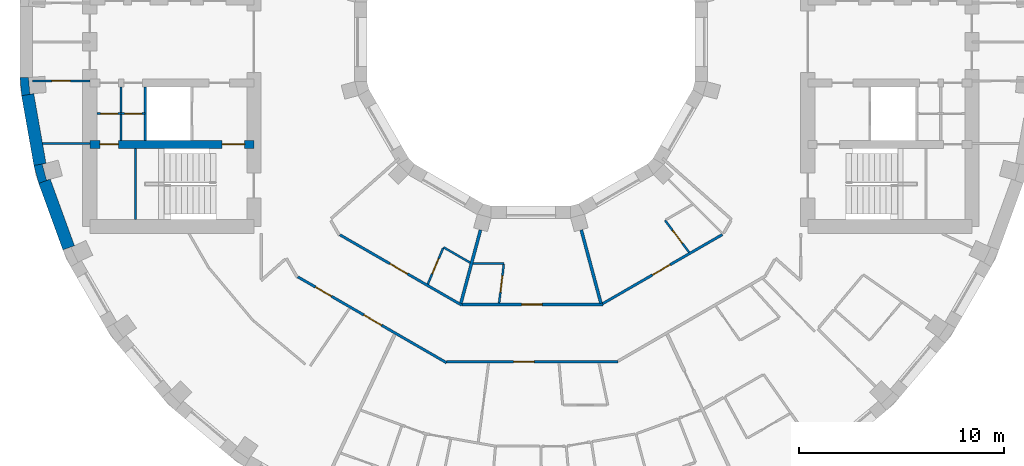
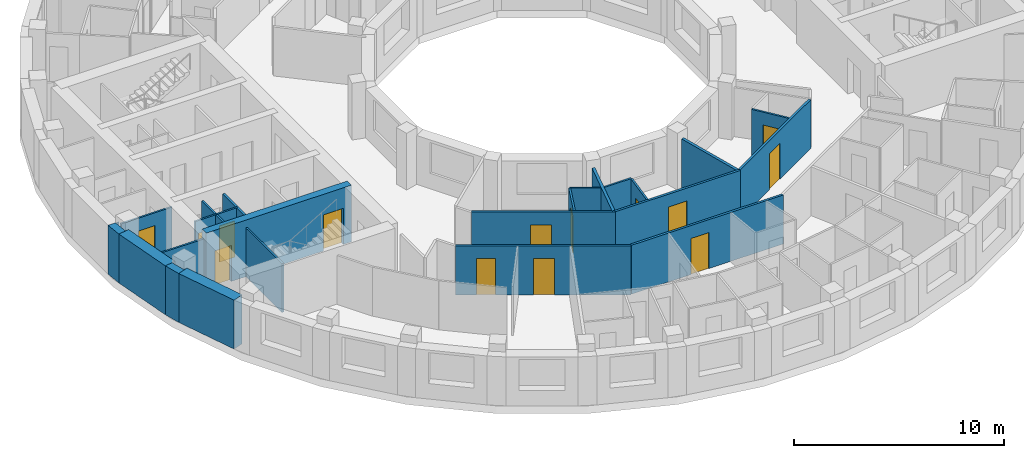
# One storey, part 5 of 15: 24 walls, 14 doors, 14 openings.
"""IFC4 building model written with IfcOpenShell, lengths in metres."""

from ifc_helpers import new_model, si_unit, direction, frame, frame_2d, origin, place, context, subcontext, project, spatial, polyline, rectangle, outline, extrude, material, layer, layer_set, type_object, element, fill, save


model = new_model("IFC4")

# Units and contexts
model_context = context("Model", 3, precision=1e-05, world=origin(), true_north=direction((0.0, 1.0)))
body_context = subcontext(model_context, "Body", "Model", "MODEL_VIEW")
ifc_project = project(units=[si_unit("LENGTHUNIT", "METRE"), si_unit("AREAUNIT", "SQUARE_METRE"), si_unit("VOLUMEUNIT", "CUBIC_METRE"), si_unit("PLANEANGLEUNIT", "RADIAN"), si_unit("MASSUNIT", "GRAM", prefix="KILO")], contexts=[model_context])

# Site, building, storey
site_placement = place(None, origin())
site = spatial("IfcSite", under=ifc_project, at=site_placement, CompositionType="ELEMENT")
building_placement = place(site_placement, origin())
building = spatial("IfcBuilding", under=site, at=building_placement, Name="Saqina Gate Tower", CompositionType="ELEMENT")
storey_placement = place(building_placement, frame((0.0, 0.0, 190.5)))
storey = spatial("IfcBuildingStorey", under=building, at=storey_placement, Name="L54", CompositionType="ELEMENT", Elevation=190.5)

# Walls
ifc_material_1 = material(Name="Brick masonry (buff)", Category="masonry")
wall_type_1 = type_object("IfcWallType", Name="BRICK PIER COPING BUFF", PredefinedType="SOLIDWALL", material=ifc_material_1)
wall_1_placement = place(storey_placement, origin())
element("IfcWall", 1, at=wall_1_placement, inside=storey, type_object=wall_type_1, Name="Pier cap L54 column 19", PredefinedType="SOLIDWALL", context=body_context, shape_type="SweptSolid", body=[
    extrude(outline(polyline([(-24.90478515625, -1.724853515625), (-24.825927734375, -2.6259765625), (-24.235107421875, -2.521728515625), (-24.421630859375, -2.5380859375), (-24.491455078125, -1.7412109375), (-24.304931640625, -1.724853515625), (-24.90478515625, -1.724853515625)])), origin(), (0.0, 0.0, 1.0), 2.85009765625),
])
wall_2_placement = place(storey_placement, origin())
element("IfcWall", 2, at=wall_2_placement, inside=storey, type_object=wall_type_1, Name="Pier cap L54 column 20", PredefinedType="SOLIDWALL", context=body_context, shape_type="SweptSolid", body=[
    extrude(outline(polyline([(-24.22705078125, -6.0234375), (-23.992919921875, -6.897216796875), (-23.428955078125, -6.69189453125), (-23.610107421875, -6.740478515625), (-23.81689453125, -5.967529296875), (-23.635986328125, -5.919189453125), (-24.22705078125, -6.0234375)])), origin(), (0.0, 0.0, 1.0), 2.85009765625),
])
ifc_material_2 = material(Name="Gypsum board on steel studs", Category="steel")
ifc_layer_1 = layer(ifc_material_2, 0.10009765625)
ifc_layer_set_1 = layer_set([ifc_layer_1], Name="CORE PARTITION")
wall_type_2 = type_object("IfcWallType", Name="CORE PARTITION", PredefinedType="PARTITIONING", material=ifc_layer_set_1)
wall_3_placement = place(storey_placement, frame((-21.5, -4.949951171875, 0.0), z_axis=(0.0, 0.0, 1.0), x_axis=(-1.0, 0.0, 0.0)))
element("IfcWall", 3, at=wall_3_placement, inside=storey, type_object=wall_type_2, Name="L54-CP-W03", PredefinedType="PARTITIONING", context=body_context, shape_type="SweptSolid", body=[
    extrude(rectangle(XDim=2.306884765625, YDim=0.10009765625, at=frame_2d((1.1533203125, 0.0))), origin(), (0.0, 0.0, 1.0), 2.85009765625),
])

# Wall, opening, door
wall_4_placement = place(storey_placement, frame((-21.5, -1.89990234375, 0.0), z_axis=(0.0, 0.0, 1.0), x_axis=(-1.0, 0.0, 0.0)))
wall_4 = element("IfcWall", 4, at=wall_4_placement, inside=storey, type_object=wall_type_2, Name="L54-CP-W04", PredefinedType="PARTITIONING", context=body_context, shape_type="SweptSolid", body=[
    extrude(rectangle(XDim=2.804931640625, YDim=0.10009765625, at=frame_2d((1.40234375, 0.0))), origin(), (0.0, 0.0, 1.0), 2.85009765625),
])
opening_1_placement = place(wall_4_placement, frame((0.952392578125, 0.0, 0.0)))
opening_1 = element("IfcOpeningElement", 5, at=opening_1_placement, cuts=wall_4, Name="Opening G16-D116", PredefinedType="OPENING", context=body_context, shape_type="SweptSolid", body=[
    extrude(rectangle(XDim=0.89990234375, YDim=2.10009765625, at=frame_2d((0.449951171875, 1.050048828125))), frame((0.0, 0.06201171875, 0.0), z_axis=(0.0, -1.0, 0.0), x_axis=(1.0, 0.0, 0.0)), (0.0, 0.0, 1.0), 0.1240234375),
])
ifc_material_3 = material(Name="Steel-framed fire door leaf, EI 60", Category="steel")
door_type_1 = type_object("IfcDoorType", Name="SERVICE ROOM DOOR 900", OperationType="SINGLE_SWING_LEFT", PredefinedType="DOOR", material=ifc_material_3)
door_1_placement = place(opening_1_placement, origin())
door_1 = element("IfcDoor", 6, at=door_1_placement, inside=storey, type_object=door_type_1, Name="L54-CD-W27", OperationType="SINGLE_SWING_LEFT", OverallHeight=2.10009765625, OverallWidth=0.89990234375, PredefinedType="DOOR", context=body_context, shape_type="SweptSolid", body=[
    extrude(rectangle(XDim=0.89990234375, YDim=2.10009765625, at=frame_2d((0.449951171875, 1.050048828125))), frame((0.0, 0.02490234375, 0.0), z_axis=(0.0, -1.0, 0.0), x_axis=(1.0, 0.0, 0.0)), (0.0, 0.0, 1.0), 0.050048828125),
])
fill(opening_1, door_1)

# Wall
wall_5_placement = place(storey_placement, frame((-19.97998046875, -4.800048828125, 0.0), z_axis=(0.0, 0.0, 1.0), x_axis=(0.0, 1.0, 0.0)))
element("IfcWall", 7, at=wall_5_placement, inside=storey, type_object=wall_type_2, Name="L54-CP-W11", PredefinedType="PARTITIONING", context=body_context, shape_type="SweptSolid", body=[
    extrude(rectangle(XDim=2.60009765625, YDim=0.10009765625, at=frame_2d((1.300048828125, 0.0))), origin(), (0.0, 0.0, 1.0), 2.85009765625),
])

# Wall, opening, door
wall_6_placement = place(storey_placement, frame((-18.81005859375, -3.5, 0.0), z_axis=(0.0, 0.0, 1.0), x_axis=(-1.0, 0.0, 0.0)))
wall_6 = element("IfcWall", 8, at=wall_6_placement, inside=storey, type_object=wall_type_2, Name="L54-CP-W14", PredefinedType="PARTITIONING", context=body_context, shape_type="SweptSolid", body=[
    extrude(rectangle(XDim=1.169921875, YDim=0.10009765625, at=frame_2d((0.5849609375, 0.0))), origin(), (0.0, 0.0, 1.0), 2.85009765625),
])
opening_2_placement = place(wall_6_placement, frame((0.14990234375, 0.0, 0.0)))
opening_2 = element("IfcOpeningElement", 9, at=opening_2_placement, cuts=wall_6, Name="Opening G16-D121", PredefinedType="OPENING", context=body_context, shape_type="SweptSolid", body=[
    extrude(rectangle(XDim=0.85009765625, YDim=2.10009765625, at=frame_2d((0.425048828125, 1.050048828125))), frame((0.0, 0.06201171875, 0.0), z_axis=(0.0, -1.0, 0.0), x_axis=(1.0, 0.0, 0.0)), (0.0, 0.0, 1.0), 0.1240234375),
])
ifc_material_4 = material(Name="Steel-framed fire door leaf, EI 60", Category="steel")
door_type_2 = type_object("IfcDoorType", Name="SERVICE ROOM DOOR 850", OperationType="SINGLE_SWING_LEFT", PredefinedType="DOOR", material=ifc_material_4)
door_2_placement = place(opening_2_placement, origin())
door_2 = element("IfcDoor", 10, at=door_2_placement, inside=storey, type_object=door_type_2, Name="L54-CD-W32", OperationType="SINGLE_SWING_LEFT", OverallHeight=2.10009765625, OverallWidth=0.85009765625, PredefinedType="DOOR", context=body_context, shape_type="SweptSolid", body=[
    extrude(rectangle(XDim=0.85009765625, YDim=2.10009765625, at=frame_2d((0.425048828125, 1.050048828125))), frame((0.0, 0.02490234375, 0.0), z_axis=(0.0, -1.0, 0.0), x_axis=(1.0, 0.0, 0.0)), (0.0, 0.0, 1.0), 0.050048828125),
])
fill(opening_2, door_2)

wall_7_placement = place(storey_placement, frame((-19.97998046875, -3.5, 0.0), z_axis=(0.0, 0.0, 1.0), x_axis=(-1.0, 0.0, 0.0)))
wall_7 = element("IfcWall", 11, at=wall_7_placement, inside=storey, type_object=wall_type_2, Name="L54-CP-W15", PredefinedType="PARTITIONING", context=body_context, shape_type="SweptSolid", body=[
    extrude(rectangle(XDim=1.169921875, YDim=0.10009765625, at=frame_2d((0.5849609375, 0.0))), origin(), (0.0, 0.0, 1.0), 2.85009765625),
])
opening_3_placement = place(wall_7_placement, frame((0.14990234375, 0.0, 0.0)))
opening_3 = element("IfcOpeningElement", 12, at=opening_3_placement, cuts=wall_7, Name="Opening G16-D122", PredefinedType="OPENING", context=body_context, shape_type="SweptSolid", body=[
    extrude(rectangle(XDim=0.85009765625, YDim=2.10009765625, at=frame_2d((0.425048828125, 1.050048828125))), frame((0.0, 0.06201171875, 0.0), z_axis=(0.0, -1.0, 0.0), x_axis=(1.0, 0.0, 0.0)), (0.0, 0.0, 1.0), 0.1240234375),
])
door_3_placement = place(opening_3_placement, origin())
door_3 = element("IfcDoor", 13, at=door_3_placement, inside=storey, type_object=door_type_2, Name="L54-CD-W33", OperationType="SINGLE_SWING_RIGHT", OverallHeight=2.10009765625, OverallWidth=0.85009765625, PredefinedType="DOOR", context=body_context, shape_type="SweptSolid", body=[
    extrude(rectangle(XDim=0.85009765625, YDim=2.10009765625, at=frame_2d((0.425048828125, 1.050048828125))), frame((0.0, 0.02490234375, 0.0), z_axis=(0.0, -1.0, 0.0), x_axis=(1.0, 0.0, 0.0)), (0.0, 0.0, 1.0), 0.050048828125),
])
fill(opening_3, door_3)

# Walls
ifc_material_5 = material(Name="Glazed ceramic tile", Category="ceramic")
ifc_layer_2 = layer(ifc_material_5, 0.60009765625)
ifc_layer_set_2 = layer_set([ifc_layer_2], Name="FW-TILE")
wall_type_3 = type_object("IfcWallType", Name="FW-TILE", PredefinedType="SOLIDWALL", material=ifc_layer_set_2)
wall_8_placement = place(storey_placement, frame((-24.530517578125, -2.573974609375, 0.0), z_axis=(0.0, 0.0, 1.0), x_axis=(0.173607684551, -0.984814892183, 0.0)))
element("IfcWall", 14, at=wall_8_placement, inside=storey, type_object=wall_type_3, Name="Facade wall L54 facet 19", PredefinedType="SOLIDWALL", context=body_context, shape_type="SweptSolid", body=[
    extrude(rectangle(XDim=3.44970703125, YDim=0.60009765625, at=frame_2d((1.724853515625, 0.0))), origin(), (0.0, 0.0, 1.0), 2.85009765625),
])
ifc_material_6 = material(Name="Glazed ceramic tile (dark blue)", Category="ceramic")
ifc_layer_3 = layer(ifc_material_6, 0.60009765625)
ifc_layer_set_3 = layer_set([ifc_layer_3], Name="FW-TILE-CB")
wall_type_4 = type_object("IfcWallType", Name="FW-TILE-CB", PredefinedType="SOLIDWALL", material=ifc_layer_set_3)
wall_9_placement = place(storey_placement, frame((-23.7109375, -6.79443359375, 0.0), z_axis=(0.0, 0.0, 1.0), x_axis=(0.342032843455, -0.93968799822, 0.0)))
element("IfcWall", 15, at=wall_9_placement, inside=storey, type_object=wall_type_4, Name="Facade wall L54 facet 20", PredefinedType="SOLIDWALL", context=body_context, shape_type="SweptSolid", body=[
    extrude(rectangle(XDim=3.44970703125, YDim=0.60009765625, at=frame_2d((1.724853515625, 0.0))), origin(), (0.0, 0.0, 1.0), 2.85009765625),
])

# Wall, opening, door
ifc_material_7 = material(Name="Gypsum board on steel studs, 100 mm", Category="steel")
ifc_layer_4 = layer(ifc_material_7, 0.10009765625)
ifc_layer_set_4 = layer_set([ifc_layer_4], Name="PARTITION 100")
wall_type_5 = type_object("IfcWallType", Name="PARTITION 100", PredefinedType="PARTITIONING", material=ifc_layer_set_4)
wall_10_placement = place(storey_placement, frame((6.5390625, -8.696044921875, 0.0), z_axis=(0.0, 0.0, 1.0), x_axis=(0.601120334692, -0.799158521959, 0.0)))
wall_10 = element("IfcWall", 16, at=wall_10_placement, inside=storey, type_object=wall_type_5, Name="PARTITION PW3-20", PredefinedType="PARTITIONING", context=body_context, shape_type="SweptSolid", body=[
    extrude(rectangle(XDim=1.951416015625, YDim=0.10009765625, at=frame_2d((0.9755859375, 0.0))), origin(), (0.0, 0.0, 1.0), 2.85009765625),
])
opening_4_placement = place(wall_10_placement, frame((0.607421875, 0.0, 0.0)))
opening_4 = element("IfcOpeningElement", 17, at=opening_4_placement, cuts=wall_10, Name="Opening G16-D58", PredefinedType="OPENING", context=body_context, shape_type="SweptSolid", body=[
    extrude(rectangle(XDim=0.800048828125, YDim=2.10009765625, at=frame_2d((0.39990234375, 1.050048828125))), frame((0.0, 0.06201171875, 0.0), z_axis=(0.0, -1.0, 0.0), x_axis=(1.0, 0.0, 0.0)), (0.0, 0.0, 1.0), 0.1240234375),
])
ifc_material_8 = material(Name="Timber door leaf, 800 mm", Category="wood")
door_type_3 = type_object("IfcDoorType", Name="DOOR 800 TIMBER", OperationType="SINGLE_SWING_LEFT", PredefinedType="DOOR", material=ifc_material_8)
door_4_placement = place(opening_4_placement, frame((0.800048828125, 0.0, 0.0), z_axis=(0.0, 0.0, 1.0), x_axis=(-1.0, 0.0, 0.0)))
door_4 = element("IfcDoor", 18, at=door_4_placement, inside=storey, type_object=door_type_3, Name="DOOR G16-D58", OperationType="SINGLE_SWING_LEFT", OverallHeight=2.10009765625, OverallWidth=0.800048828125, PredefinedType="DOOR", context=body_context, shape_type="SweptSolid", body=[
    extrude(rectangle(XDim=0.800048828125, YDim=2.10009765625, at=frame_2d((0.39990234375, 1.050048828125))), frame((0.0, 0.02490234375, 0.0), z_axis=(0.0, -1.0, 0.0), x_axis=(1.0, 0.0, 0.0)), (0.0, 0.0, 1.0), 0.050048828125),
])
fill(opening_4, door_4)

# Walls
wall_11_placement = place(storey_placement, frame((-4.260986328125, -10.010986328125, 0.0), z_axis=(0.0, 0.0, 1.0), x_axis=(0.86609634961, -0.499877098087, 0.0)))
element("IfcWall", 19, at=wall_11_placement, inside=storey, type_object=wall_type_5, Name="PARTITION PW3-37", PredefinedType="PARTITIONING", context=body_context, shape_type="SweptSolid", body=[
    extrude(rectangle(XDim=1.50341796875, YDim=0.10009765625, at=frame_2d((0.751708984375, 0.0))), origin(), (0.0, 0.0, 1.0), 2.85009765625),
])
wall_12_placement = place(storey_placement, frame((-2.819091796875, -10.800048828125, 0.0), z_axis=(0.0, 0.0, 1.0), x_axis=(1.0, 0.0, 0.0)))
element("IfcWall", 20, at=wall_12_placement, inside=storey, type_object=wall_type_5, Name="PARTITION PW3-54", PredefinedType="PARTITIONING", context=body_context, shape_type="SweptSolid", body=[
    extrude(rectangle(XDim=1.504150390625, YDim=0.10009765625, at=frame_2d((0.751953125, 0.0))), origin(), (0.0, 0.0, 1.0), 2.85009765625),
])

# Wall, opening, door
wall_13_placement = place(storey_placement, frame((-5.025634765625, -11.806396484375, 0.0), z_axis=(0.0, 0.0, 1.0), x_axis=(0.391841940262, 0.920032550431, 0.0)))
wall_13 = element("IfcWall", 21, at=wall_13_placement, inside=storey, type_object=wall_type_5, Name="PARTITION PW3-90", PredefinedType="PARTITIONING", context=body_context, shape_type="SweptSolid", body=[
    extrude(rectangle(XDim=1.901611328125, YDim=0.10009765625, at=frame_2d((0.95068359375, 0.0))), origin(), (0.0, 0.0, 1.0), 2.85009765625),
])
opening_5_placement = place(wall_13_placement, frame((0.54443359375, 0.0, 0.0)))
opening_5 = element("IfcOpeningElement", 22, at=opening_5_placement, cuts=wall_13, Name="Opening G16-D37", PredefinedType="OPENING", context=body_context, shape_type="SweptSolid", body=[
    extrude(rectangle(XDim=0.800048828125, YDim=2.10009765625, at=frame_2d((0.39990234375, 1.050048828125))), frame((0.0, 0.06201171875, 0.0), z_axis=(0.0, -1.0, 0.0), x_axis=(1.0, 0.0, 0.0)), (0.0, 0.0, 1.0), 0.1240234375),
])
door_5_placement = place(opening_5_placement, origin())
door_5 = element("IfcDoor", 23, at=door_5_placement, inside=storey, type_object=door_type_3, Name="DOOR G16-D37", OperationType="SINGLE_SWING_LEFT", OverallHeight=2.10009765625, OverallWidth=0.800048828125, PredefinedType="DOOR", context=body_context, shape_type="SweptSolid", body=[
    extrude(rectangle(XDim=0.800048828125, YDim=2.10009765625, at=frame_2d((0.39990234375, 1.050048828125))), frame((0.0, 0.02490234375, 0.0), z_axis=(0.0, -1.0, 0.0), x_axis=(1.0, 0.0, 0.0)), (0.0, 0.0, 1.0), 0.050048828125),
])
fill(opening_5, door_5)

wall_14_placement = place(storey_placement, frame((-1.551513671875, -12.738037109375, 0.0), z_axis=(0.0, 0.0, 1.0), x_axis=(0.121143814879, 0.992634966197, 0.0)))
wall_14 = element("IfcWall", 24, at=wall_14_placement, inside=storey, type_object=wall_type_5, Name="PARTITION PW3-100", PredefinedType="PARTITIONING", context=body_context, shape_type="SweptSolid", body=[
    extrude(rectangle(XDim=1.90234375, YDim=0.10009765625, at=frame_2d((0.951171875, 0.0))), origin(), (0.0, 0.0, 1.0), 2.85009765625),
])
opening_6_placement = place(wall_14_placement, frame((0.544921875, 0.0, 0.0)))
opening_6 = element("IfcOpeningElement", 25, at=opening_6_placement, cuts=wall_14, Name="Opening G16-D43", PredefinedType="OPENING", context=body_context, shape_type="SweptSolid", body=[
    extrude(rectangle(XDim=0.800048828125, YDim=2.10009765625, at=frame_2d((0.39990234375, 1.050048828125))), frame((0.0, 0.06201171875, 0.0), z_axis=(0.0, -1.0, 0.0), x_axis=(1.0, 0.0, 0.0)), (0.0, 0.0, 1.0), 0.1240234375),
])
door_6_placement = place(opening_6_placement, frame((0.800048828125, 0.0, 0.0), z_axis=(0.0, 0.0, 1.0), x_axis=(-1.0, 0.0, 0.0)))
door_6 = element("IfcDoor", 26, at=door_6_placement, inside=storey, type_object=door_type_3, Name="DOOR G16-D43", OperationType="SINGLE_SWING_RIGHT", OverallHeight=2.10009765625, OverallWidth=0.800048828125, PredefinedType="DOOR", context=body_context, shape_type="SweptSolid", body=[
    extrude(rectangle(XDim=0.800048828125, YDim=2.10009765625, at=frame_2d((0.39990234375, 1.050048828125))), frame((0.0, 0.02490234375, 0.0), z_axis=(0.0, -1.0, 0.0), x_axis=(1.0, 0.0, 0.0)), (0.0, 0.0, 1.0), 0.050048828125),
])
fill(opening_6, door_6)

# Wall, openings, doors
ifc_material_9 = material(Name="Gypsum board on steel studs, 125 mm, fire rated", Category="steel")
ifc_layer_5 = layer(ifc_material_9, 0.125)
ifc_layer_set_5 = layer_set([ifc_layer_5], Name="PARTITION EI 30 125")
wall_type_6 = type_object("IfcWallType", Name="PARTITION EI 30 125", PredefinedType="PARTITIONING", material=ifc_layer_set_5)
wall_15_placement = place(storey_placement, frame((-11.365966796875, -11.451171875, 0.0), z_axis=(0.0, 0.0, 1.0), x_axis=(0.866032091518, -0.499988416326, 0.0)))
wall_15 = element("IfcWall", 27, at=wall_15_placement, inside=storey, type_object=wall_type_6, Name="PARTITION PW1-13", PredefinedType="PARTITIONING", context=body_context, shape_type="SweptSolid", body=[
    extrude(rectangle(XDim=8.369873046875, YDim=0.125, at=frame_2d((4.18505859375, 0.0))), origin(), (0.0, 0.0, 1.0), 2.85009765625),
])
opening_7_placement = place(wall_15_placement, frame((0.997802734375, 0.0, 0.0)))
opening_7 = element("IfcOpeningElement", 28, at=opening_7_placement, cuts=wall_15, Name="Opening G16-D34", PredefinedType="OPENING", context=body_context, shape_type="SweptSolid", body=[
    extrude(rectangle(XDim=0.89990234375, YDim=2.10009765625, at=frame_2d((0.449951171875, 1.050048828125))), frame((0.0, 0.074462890625, 0.0), z_axis=(0.0, -1.0, 0.0), x_axis=(1.0, 0.0, 0.0)), (0.0, 0.0, 1.0), 0.14892578125),
])
opening_8_placement = place(wall_15_placement, frame((3.72021484375, 0.0, 0.0)))
opening_8 = element("IfcOpeningElement", 29, at=opening_8_placement, cuts=wall_15, Name="Opening G16-D36", PredefinedType="OPENING", context=body_context, shape_type="SweptSolid", body=[
    extrude(rectangle(XDim=1.0, YDim=2.10009765625, at=frame_2d((0.5, 1.050048828125))), frame((0.0, 0.074462890625, 0.0), z_axis=(0.0, -1.0, 0.0), x_axis=(1.0, 0.0, 0.0)), (0.0, 0.0, 1.0), 0.14892578125),
])
ifc_material_10 = material(Name="Fire door leaf EI 30, 1000 mm")
door_type_4 = type_object("IfcDoorType", Name="DOOR 1000 EI 30", OperationType="SINGLE_SWING_LEFT", PredefinedType="DOOR", material=ifc_material_10)
door_7_placement = place(opening_8_placement, origin())
door_7 = element("IfcDoor", 30, at=door_7_placement, inside=storey, type_object=door_type_4, Name="DOOR G16-D36", OperationType="SINGLE_SWING_RIGHT", OverallHeight=2.10009765625, OverallWidth=1.0, PredefinedType="DOOR", context=body_context, shape_type="SweptSolid", body=[
    extrude(rectangle(XDim=1.0, YDim=2.10009765625, at=frame_2d((0.5, 1.050048828125))), frame((0.0, 0.02490234375, 0.0), z_axis=(0.0, -1.0, 0.0), x_axis=(1.0, 0.0, 0.0)), (0.0, 0.0, 1.0), 0.050048828125),
])
fill(opening_8, door_7)
ifc_material_11 = material(Name="Fire door leaf EI 30, 900 mm")
door_type_5 = type_object("IfcDoorType", Name="DOOR 900 EI 30", OperationType="SINGLE_SWING_LEFT", PredefinedType="DOOR", material=ifc_material_11)
door_8_placement = place(opening_7_placement, frame((0.89990234375, 0.0, 0.0), z_axis=(0.0, 0.0, 1.0), x_axis=(-1.0, 0.0, 0.0)))
door_8 = element("IfcDoor", 31, at=door_8_placement, inside=storey, type_object=door_type_5, Name="DOOR G16-D34", OperationType="SINGLE_SWING_RIGHT", OverallHeight=2.10009765625, OverallWidth=0.89990234375, PredefinedType="DOOR", context=body_context, shape_type="SweptSolid", body=[
    extrude(rectangle(XDim=0.89990234375, YDim=2.10009765625, at=frame_2d((0.449951171875, 1.050048828125))), frame((0.0, 0.02490234375, 0.0), z_axis=(0.0, -1.0, 0.0), x_axis=(1.0, 0.0, 0.0)), (0.0, 0.0, 1.0), 0.050048828125),
])
fill(opening_7, door_8)

# Wall, opening, door
wall_16_placement = place(storey_placement, frame((-9.31591796875, -9.4013671875, 0.0), z_axis=(0.0, 0.0, 1.0), x_axis=(0.865996765544, -0.500049599607, 0.0)))
wall_16 = element("IfcWall", 32, at=wall_16_placement, inside=storey, type_object=wall_type_6, Name="PARTITION PW1-14", PredefinedType="PARTITIONING", context=body_context, shape_type="SweptSolid", body=[
    extrude(rectangle(XDim=6.868896484375, YDim=0.125, at=frame_2d((3.4345703125, 0.0))), origin(), (0.0, 0.0, 1.0), 2.85009765625),
])
opening_9_placement = place(wall_16_placement, frame((2.816162109375, 0.0, 0.0)))
opening_9 = element("IfcOpeningElement", 33, at=opening_9_placement, cuts=wall_16, Name="Opening G16-D35", PredefinedType="OPENING", context=body_context, shape_type="SweptSolid", body=[
    extrude(rectangle(XDim=1.0, YDim=2.10009765625, at=frame_2d((0.5, 1.050048828125))), frame((0.0, 0.074462890625, 0.0), z_axis=(0.0, -1.0, 0.0), x_axis=(1.0, 0.0, 0.0)), (0.0, 0.0, 1.0), 0.14892578125),
])
door_9_placement = place(opening_9_placement, origin())
door_9 = element("IfcDoor", 34, at=door_9_placement, inside=storey, type_object=door_type_4, Name="DOOR G16-D35", OperationType="SINGLE_SWING_LEFT", OverallHeight=2.10009765625, OverallWidth=1.0, PredefinedType="DOOR", context=body_context, shape_type="SweptSolid", body=[
    extrude(rectangle(XDim=1.0, YDim=2.10009765625, at=frame_2d((0.5, 1.050048828125))), frame((0.0, 0.02490234375, 0.0), z_axis=(0.0, -1.0, 0.0), x_axis=(1.0, 0.0, 0.0)), (0.0, 0.0, 1.0), 0.050048828125),
])
fill(opening_9, door_9)

wall_17_placement = place(storey_placement, frame((-4.117431640625, -15.60009765625, 0.0), z_axis=(0.0, 0.0, 1.0), x_axis=(1.0, 0.0, 0.0)))
wall_17 = element("IfcWall", 35, at=wall_17_placement, inside=storey, type_object=wall_type_6, Name="PARTITION PW1-23", PredefinedType="PARTITIONING", context=body_context, shape_type="SweptSolid", body=[
    extrude(rectangle(XDim=8.36962890625, YDim=0.125, at=frame_2d((4.184814453125, 0.0))), origin(), (0.0, 0.0, 1.0), 2.85009765625),
])
opening_10_placement = place(wall_17_placement, frame((3.27294921875, 0.0, 0.0)))
opening_10 = element("IfcOpeningElement", 36, at=opening_10_placement, cuts=wall_17, Name="Opening G16-D45", PredefinedType="OPENING", context=body_context, shape_type="SweptSolid", body=[
    extrude(rectangle(XDim=1.0, YDim=2.10009765625, at=frame_2d((0.5, 1.050048828125))), frame((0.0, 0.074462890625, 0.0), z_axis=(0.0, -1.0, 0.0), x_axis=(1.0, 0.0, 0.0)), (0.0, 0.0, 1.0), 0.14892578125),
])
door_10_placement = place(opening_10_placement, frame((1.0, 0.0, 0.0), z_axis=(0.0, 0.0, 1.0), x_axis=(-1.0, 0.0, 0.0)))
door_10 = element("IfcDoor", 37, at=door_10_placement, inside=storey, type_object=door_type_4, Name="DOOR G16-D45", OperationType="SINGLE_SWING_RIGHT", OverallHeight=2.10009765625, OverallWidth=1.0, PredefinedType="DOOR", context=body_context, shape_type="SweptSolid", body=[
    extrude(rectangle(XDim=1.0, YDim=2.10009765625, at=frame_2d((0.5, 1.050048828125))), frame((0.0, 0.02490234375, 0.0), z_axis=(0.0, -1.0, 0.0), x_axis=(1.0, 0.0, 0.0)), (0.0, 0.0, 1.0), 0.050048828125),
])
fill(opening_10, door_10)

wall_18_placement = place(storey_placement, frame((-3.367431640625, -12.800048828125, 0.0), z_axis=(0.0, 0.0, 1.0), x_axis=(1.0, 0.0, 0.0)))
wall_18 = element("IfcWall", 38, at=wall_18_placement, inside=storey, type_object=wall_type_6, Name="PARTITION PW1-24", PredefinedType="PARTITIONING", context=body_context, shape_type="SweptSolid", body=[
    extrude(rectangle(XDim=6.884033203125, YDim=0.125, at=frame_2d((3.44189453125, 0.0))), origin(), (0.0, 0.0, 1.0), 2.85009765625),
])
opening_11_placement = place(wall_18_placement, frame((2.91796875, 0.0, 0.0)))
opening_11 = element("IfcOpeningElement", 39, at=opening_11_placement, cuts=wall_18, Name="Opening G16-D46", PredefinedType="OPENING", context=body_context, shape_type="SweptSolid", body=[
    extrude(rectangle(XDim=1.0, YDim=2.10009765625, at=frame_2d((0.5, 1.050048828125))), frame((0.0, 0.074462890625, 0.0), z_axis=(0.0, -1.0, 0.0), x_axis=(1.0, 0.0, 0.0)), (0.0, 0.0, 1.0), 0.14892578125),
])
door_11_placement = place(opening_11_placement, origin())
door_11 = element("IfcDoor", 40, at=door_11_placement, inside=storey, type_object=door_type_4, Name="DOOR G16-D46", OperationType="SINGLE_SWING_LEFT", OverallHeight=2.10009765625, OverallWidth=1.0, PredefinedType="DOOR", context=body_context, shape_type="SweptSolid", body=[
    extrude(rectangle(XDim=1.0, YDim=2.10009765625, at=frame_2d((0.5, 1.050048828125))), frame((0.0, 0.02490234375, 0.0), z_axis=(0.0, -1.0, 0.0), x_axis=(1.0, 0.0, 0.0)), (0.0, 0.0, 1.0), 0.050048828125),
])
fill(opening_11, door_11)

wall_19_placement = place(storey_placement, frame((3.494873046875, -12.762451171875, 0.0), z_axis=(0.0, 0.0, 1.0), x_axis=(0.865996609613, 0.500049869652, 0.0)))
wall_19 = element("IfcWall", 41, at=wall_19_placement, inside=storey, type_object=wall_type_6, Name="PARTITION PW1-34", PredefinedType="PARTITIONING", context=body_context, shape_type="SweptSolid", body=[
    extrude(rectangle(XDim=6.734130859375, YDim=0.125, at=frame_2d((3.3671875, 0.0))), origin(), (0.0, 0.0, 1.0), 2.85009765625),
])
opening_12_placement = place(wall_19_placement, frame((2.8037109375, 0.0, 0.0)))
opening_12 = element("IfcOpeningElement", 42, at=opening_12_placement, cuts=wall_19, Name="Opening G16-D54", PredefinedType="OPENING", context=body_context, shape_type="SweptSolid", body=[
    extrude(rectangle(XDim=1.0, YDim=2.10009765625, at=frame_2d((0.5, 1.050048828125))), frame((0.0, 0.074462890625, 0.0), z_axis=(0.0, -1.0, 0.0), x_axis=(1.0, 0.0, 0.0)), (0.0, 0.0, 1.0), 0.14892578125),
])
door_12_placement = place(opening_12_placement, origin())
door_12 = element("IfcDoor", 43, at=door_12_placement, inside=storey, type_object=door_type_4, Name="DOOR G16-D54", OperationType="SINGLE_SWING_LEFT", OverallHeight=2.10009765625, OverallWidth=1.0, PredefinedType="DOOR", context=body_context, shape_type="SweptSolid", body=[
    extrude(rectangle(XDim=1.0, YDim=2.10009765625, at=frame_2d((0.5, 1.050048828125))), frame((0.0, 0.02490234375, 0.0), z_axis=(0.0, -1.0, 0.0), x_axis=(1.0, 0.0, 0.0)), (0.0, 0.0, 1.0), 0.050048828125),
])
fill(opening_12, door_12)

# Walls
ifc_material_12 = material(Name="Gypsum board on steel studs, 150 mm, fire rated", Category="steel")
ifc_layer_6 = layer(ifc_material_12, 0.14990234375)
ifc_layer_set_6 = layer_set([ifc_layer_6], Name="PARTITION EI 60 150")
wall_type_7 = type_object("IfcWallType", Name="PARTITION EI 60 150", PredefinedType="PARTITIONING", material=ifc_layer_set_6)
wall_20_placement = place(storey_placement, frame((2.45703125, -9.168701171875, 0.0), z_axis=(0.0, 0.0, 1.0), x_axis=(0.258879127767, -0.965909725185, 0.0)))
element("IfcWall", 44, at=wall_20_placement, inside=storey, type_object=wall_type_7, Name="PARTITION PW2-03", PredefinedType="PARTITIONING", context=body_context, shape_type="SweptSolid", body=[
    extrude(rectangle(XDim=3.69677734375, YDim=0.14990234375, at=frame_2d((1.848388671875, 0.0))), origin(), (0.0, 0.0, 1.0), 2.85009765625),
])
wall_21_placement = place(storey_placement, frame((-3.41357421875, -12.73974609375, 0.0), z_axis=(0.0, 0.0, 1.0), x_axis=(0.258739386172, 0.965947167315, 0.0)))
element("IfcWall", 45, at=wall_21_placement, inside=storey, type_object=wall_type_7, Name="PARTITION PW2-07", PredefinedType="PARTITIONING", context=body_context, shape_type="SweptSolid", body=[
    extrude(rectangle(XDim=3.697021484375, YDim=0.14990234375, at=frame_2d((1.8486328125, 0.0))), origin(), (0.0, 0.0, 1.0), 2.85009765625),
])
ifc_material_13 = material(Name="Autoclaved aerated concrete block", Category="concrete")
ifc_layer_7 = layer(ifc_material_13, 0.1201171875)
ifc_layer_set_7 = layer_set([ifc_layer_7], Name="SHAFT PARTITION")
wall_type_8 = type_object("IfcWallType", Name="SHAFT PARTITION", PredefinedType="PARTITIONING", material=ifc_layer_set_7)
wall_22_placement = place(storey_placement, frame((-18.81005859375, -4.800048828125, 0.0), z_axis=(0.0, 0.0, 1.0), x_axis=(0.0, 1.0, 0.0)))
element("IfcWall", 46, at=wall_22_placement, inside=storey, type_object=wall_type_8, Name="L54-CP-W10", PredefinedType="PARTITIONING", context=body_context, shape_type="SweptSolid", body=[
    extrude(rectangle(XDim=2.60009765625, YDim=0.1201171875, at=frame_2d((1.300048828125, 0.0))), origin(), (0.0, 0.0, 1.0), 2.85009765625),
])
ifc_material_14 = material(Name="Autoclaved aerated concrete block", Category="concrete")
ifc_layer_8 = layer(ifc_material_14, 0.10009765625)
ifc_layer_set_8 = layer_set([ifc_layer_8], Name="STAIR ENCLOSURE WALL")
wall_type_9 = type_object("IfcWallType", Name="STAIR ENCLOSURE WALL", PredefinedType="PARTITIONING", material=ifc_layer_set_8)
wall_23_placement = place(storey_placement, frame((-19.27001953125, -8.64990234375, 0.0), z_axis=(0.0, 0.0, 1.0), x_axis=(0.0, 1.0, 0.0)))
element("IfcWall", 47, at=wall_23_placement, inside=storey, type_object=wall_type_9, Name="L54-CP-W17", PredefinedType="PARTITIONING", context=body_context, shape_type="SweptSolid", body=[
    extrude(rectangle(XDim=3.449951171875, YDim=0.10009765625, at=frame_2d((1.72509765625, 0.0))), origin(), (0.0, 0.0, 1.0), 2.85009765625),
])

# Wall, openings, doors
ifc_material_15 = material(Name="Concrete C60/75", Category="concrete")
ifc_layer_9 = layer(ifc_material_15, 0.39990234375)
ifc_layer_set_9 = layer_set([ifc_layer_9], Name="Concrete C60/75")
wall_type_10 = type_object("IfcWallType", Name="STR-CORE WALL-C-I", PredefinedType="SHEAR", material=ifc_layer_set_9)
wall_24_placement = place(storey_placement, frame((-13.5, -5.0, 0.0), z_axis=(0.0, 0.0, 1.0), x_axis=(-1.0, 0.0, 0.0)))
wall_24 = element("IfcWall", 48, at=wall_24_placement, inside=storey, type_object=wall_type_10, Name="CORE WALL L54 W-X2", PredefinedType="SHEAR", context=body_context, shape_type="SweptSolid", body=[
    extrude(rectangle(XDim=8.0, YDim=0.39990234375, at=frame_2d((4.0, 0.0))), origin(), (0.0, 0.0, 1.0), 3.300048828125),
])
opening_13_placement = place(wall_24_placement, frame((6.614990234375, 0.0, 0.0)))
opening_13 = element("IfcOpeningElement", 49, at=opening_13_placement, cuts=wall_24, Name="Opening G16-D123", PredefinedType="OPENING", context=body_context, shape_type="SweptSolid", body=[
    extrude(rectangle(XDim=0.89990234375, YDim=2.10009765625, at=frame_2d((0.449951171875, 1.050048828125))), frame((0.0, 0.2119140625, 0.0), z_axis=(0.0, -1.0, 0.0), x_axis=(1.0, 0.0, 0.0)), (0.0, 0.0, 1.0), 0.423828125),
])
opening_14_placement = place(wall_24_placement, frame((0.449951171875, 0.0, 0.0)))
opening_14 = element("IfcOpeningElement", 50, at=opening_14_placement, cuts=wall_24, Name="Opening G16-D124", PredefinedType="OPENING", context=body_context, shape_type="SweptSolid", body=[
    extrude(rectangle(XDim=1.10009765625, YDim=2.10009765625, at=frame_2d((0.550048828125, 1.050048828125))), frame((0.0, 0.2119140625, 0.0), z_axis=(0.0, -1.0, 0.0), x_axis=(1.0, 0.0, 0.0)), (0.0, 0.0, 1.0), 0.423828125),
])
ifc_material_16 = material(Name="Steel", Category="steel")
door_type_6 = type_object("IfcDoorType", Name="FIRE LOBBY DOOR EI 60 WIDE", OperationType="SINGLE_SWING_LEFT", PredefinedType="DOOR", material=ifc_material_16)
door_13_placement = place(opening_14_placement, origin())
door_13 = element("IfcDoor", 51, at=door_13_placement, inside=storey, type_object=door_type_6, Name="L54-CD-W35", OperationType="SINGLE_SWING_LEFT", OverallHeight=2.10009765625, OverallWidth=1.10009765625, PredefinedType="DOOR", context=body_context, shape_type="SweptSolid", body=[
    extrude(rectangle(XDim=1.10009765625, YDim=2.10009765625, at=frame_2d((0.550048828125, 1.050048828125))), frame((0.0, 0.02490234375, 0.0), z_axis=(0.0, -1.0, 0.0), x_axis=(1.0, 0.0, 0.0)), (0.0, 0.0, 1.0), 0.050048828125),
])
fill(opening_14, door_13)
door_14_placement = place(opening_13_placement, origin())
door_14 = element("IfcDoor", 52, at=door_14_placement, inside=storey, type_object=door_type_1, Name="L54-CD-W34", OperationType="SINGLE_SWING_RIGHT", OverallHeight=2.10009765625, OverallWidth=0.89990234375, PredefinedType="DOOR", context=body_context, shape_type="SweptSolid", body=[
    extrude(rectangle(XDim=0.89990234375, YDim=2.10009765625, at=frame_2d((0.449951171875, 1.050048828125))), frame((0.0, 0.02490234375, 0.0), z_axis=(0.0, -1.0, 0.0), x_axis=(1.0, 0.0, 0.0)), (0.0, 0.0, 1.0), 0.050048828125),
])
fill(opening_13, door_14)

save(model, "model.ifc")
